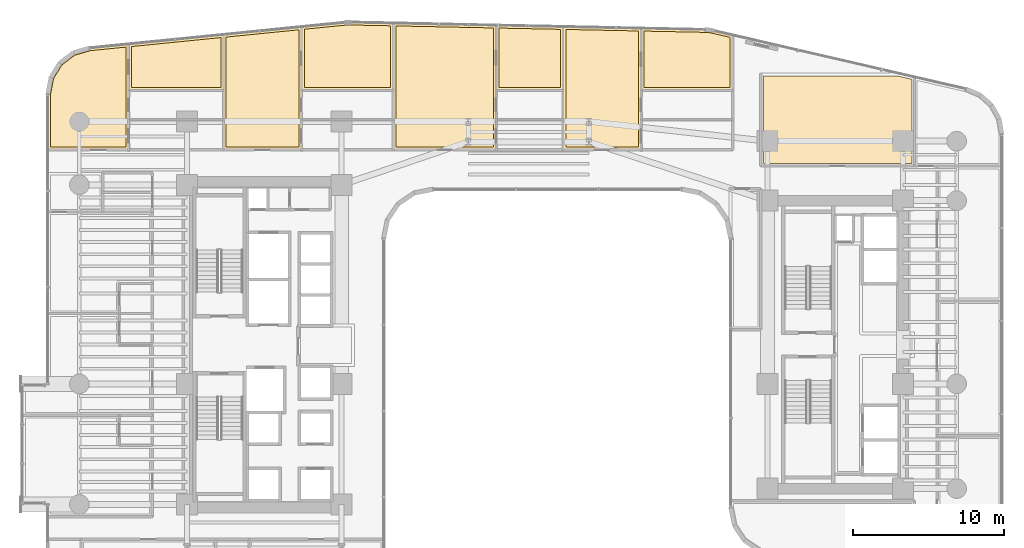
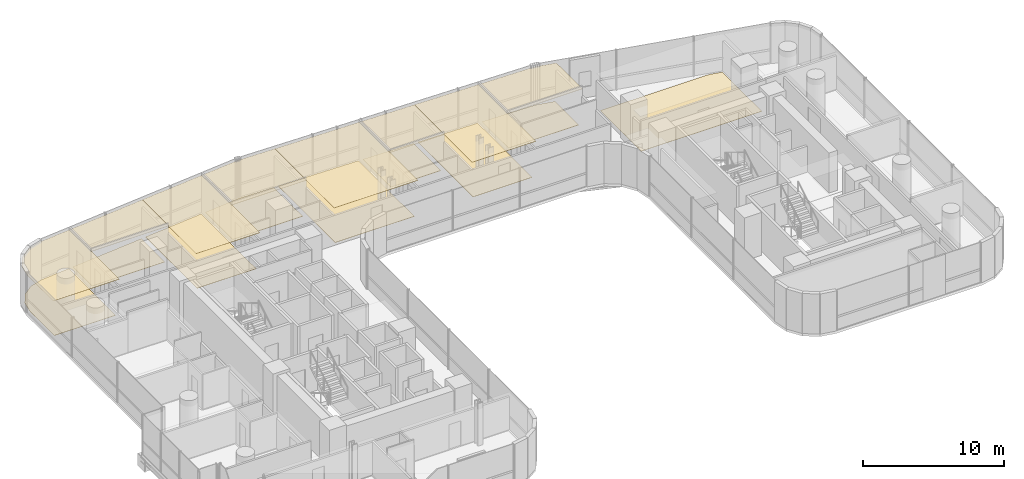
# One storey, part 40 of 41: 17 coverings.
"""IFC4 building model written with IfcOpenShell, lengths in metres."""

from ifc_helpers import new_model, si_unit, direction, frame, origin, place, context, subcontext, project, spatial, polyline, outline, extrude, material, layer, layer_set, type_object, element, save


model = new_model("IFC4")

# Units and contexts
model_context = context("Model", 3, precision=1e-05, world=origin(), true_north=direction((0.0, 1.0)))
body_context = subcontext(model_context, "Body", "Model", "MODEL_VIEW")
ifc_project = project(units=[si_unit("LENGTHUNIT", "METRE"), si_unit("AREAUNIT", "SQUARE_METRE"), si_unit("VOLUMEUNIT", "CUBIC_METRE"), si_unit("PLANEANGLEUNIT", "RADIAN"), si_unit("MASSUNIT", "GRAM", prefix="KILO")], contexts=[model_context])

# Site, building, storey
site_placement = place(None, origin())
site = spatial("IfcSite", under=ifc_project, at=site_placement, CompositionType="ELEMENT")
building_placement = place(site_placement, origin())
building = spatial("IfcBuilding", under=site, at=building_placement, Name="Valdorenza Pilgrim Sanctuary Tower", CompositionType="ELEMENT")
storey_placement = place(building_placement, frame((0.0, 0.0, 59.300048828125)))
storey = spatial("IfcBuildingStorey", under=building, at=storey_placement, Name="L14", CompositionType="ELEMENT", Elevation=59.300048828125)

# Coverings
ifc_material_1 = material(Name="Micro-perforated acoustic mineral ceiling tile", Category="gypsum")
ifc_layer_1 = layer(ifc_material_1, 0.02490234375, Name="Micro-perforated acoustic mineral ceiling tile")
ifc_layer_set_1 = layer_set([ifc_layer_1], Name="Micro-perforated acoustic mineral ceiling tile")
covering_type_1 = type_object("IfcCoveringType", Name="COV-CLG-ACU", PredefinedType="CEILING", material=ifc_layer_set_1)
covering_1_placement = place(storey_placement, frame((0.0, 0.0, 3.159912109375)))
element("IfcCovering", 1, at=covering_1_placement, inside=storey, type_object=covering_type_1, Name="L14 North Sanctuary Apartment L14-N1 Bedroom Acoustic Ceiling", PredefinedType="CEILING", context=body_context, shape_type="SweptSolid", body=[
    extrude(outline(polyline([(-26.530029296875, 16.85498046875), (-26.531494140625, 16.85498046875), (-26.532958984375, 16.855224609375), (-26.534423828125, 16.855712890625), (-26.535888671875, 16.856201171875), (-26.537109375, 16.856689453125), (-26.538330078125, 16.857421875), (-26.53955078125, 16.8583984375), (-26.540771484375, 16.859375), (-26.541748046875, 16.860595703125), (-26.54248046875, 16.86181640625), (-26.543212890625, 16.86279296875), (-26.5439453125, 16.8642578125), (-26.54443359375, 16.865478515625), (-26.544921875, 16.8671875), (-26.544921875, 16.868408203125), (-26.545166015625, 16.8701171875), (-26.545166015625, 19.9365234375), (-26.544921875, 19.93798828125), (-26.544921875, 19.939453125), (-26.54443359375, 19.94091796875), (-26.5439453125, 19.942138671875), (-26.543212890625, 19.943603515625), (-26.54248046875, 19.94482421875), (-26.541748046875, 19.946044921875), (-26.540771484375, 19.947021484375), (-26.53955078125, 19.947998046875), (-26.538330078125, 19.948974609375), (-26.537109375, 19.94970703125), (-26.535888671875, 19.9501953125), (-26.534423828125, 19.95068359375), (-26.532958984375, 19.951171875), (-26.531494140625, 19.951416015625), (-20.239501953125, 20.58056640625), (-20.238037109375, 20.580810546875), (-20.236572265625, 20.58056640625), (-20.235107421875, 20.580322265625), (-20.233642578125, 20.580078125), (-20.232421875, 20.57958984375), (-20.23095703125, 20.578857421875), (-20.229736328125, 20.578125), (-20.228515625, 20.577392578125), (-20.227294921875, 20.576416015625), (-20.226318359375, 20.5751953125), (-20.2255859375, 20.573974609375), (-20.224853515625, 20.57275390625), (-20.22412109375, 20.5712890625), (-20.2236328125, 20.570068359375), (-20.223388671875, 20.568603515625), (-20.22314453125, 20.567138671875), (-20.222900390625, 20.565673828125), (-20.222900390625, 16.8701171875), (-20.22314453125, 16.868408203125), (-20.223388671875, 16.8671875), (-20.2236328125, 16.865478515625), (-20.22412109375, 16.8642578125), (-20.224853515625, 16.86279296875), (-20.2255859375, 16.86181640625), (-20.226318359375, 16.860595703125), (-20.227294921875, 16.859375), (-20.228515625, 16.8583984375), (-20.229736328125, 16.857421875), (-20.23095703125, 16.856689453125), (-20.232421875, 16.856201171875), (-20.233642578125, 16.855712890625), (-20.235107421875, 16.855224609375), (-20.236572265625, 16.85498046875), (-20.238037109375, 16.85498046875), (-26.530029296875, 16.85498046875)])), origin(), (0.0, 0.0, 1.0), 0.025146484375),
])
covering_2_placement = place(storey_placement, frame((0.0, 0.0, 3.159912109375)))
element("IfcCovering", 2, at=covering_2_placement, inside=storey, type_object=covering_type_1, Name="L14 North Sanctuary Apartment L14-N1 Living Room Acoustic Ceiling", PredefinedType="CEILING", context=body_context, shape_type="SweptSolid", body=[
    extrude(outline(polyline([(-31.889892578125, 12.905029296875), (-31.8916015625, 12.905029296875), (-31.892822265625, 12.9052734375), (-31.894287109375, 12.905517578125), (-31.895751953125, 12.906005859375), (-31.897216796875, 12.90673828125), (-31.898193359375, 12.907470703125), (-31.8994140625, 12.908447265625), (-31.900634765625, 12.909423828125), (-31.901611328125, 12.910400390625), (-31.902587890625, 12.91162109375), (-31.9033203125, 12.912841796875), (-31.90380859375, 12.914306640625), (-31.904296875, 12.91552734375), (-31.90478515625, 12.9169921875), (-31.90478515625, 12.91845703125), (-31.905029296875, 12.919921875), (-31.905029296875, 16.593994140625), (-31.90478515625, 16.59521484375), (-31.90478515625, 16.5966796875), (-31.6962890625, 17.717041015625), (-31.696044921875, 17.718505859375), (-31.695556640625, 17.7197265625), (-31.695068359375, 17.720947265625), (-31.6943359375, 17.72216796875), (-31.102294921875, 18.68408203125), (-31.1015625, 18.685302734375), (-31.100830078125, 18.686279296875), (-31.099853515625, 18.687255859375), (-31.0986328125, 18.688232421875), (-30.20068359375, 19.372802734375), (-30.199462890625, 19.37353515625), (-30.1982421875, 19.374267578125), (-30.197021484375, 19.374755859375), (-30.19580078125, 19.375244140625), (-29.1015625, 19.694091796875), (-29.10009765625, 19.694580078125), (-29.098876953125, 19.694580078125), (-26.53369140625, 19.951171875), (-26.531982421875, 19.951416015625), (-26.530517578125, 19.951171875), (-26.529296875, 19.950927734375), (-26.52783203125, 19.95068359375), (-26.5263671875, 19.9501953125), (-26.52490234375, 19.949462890625), (-26.523681640625, 19.94873046875), (-26.522705078125, 19.947998046875), (-26.521484375, 19.947021484375), (-26.5205078125, 19.94580078125), (-26.51953125, 19.944580078125), (-26.518798828125, 19.943359375), (-26.518310546875, 19.94189453125), (-26.517578125, 19.940673828125), (-26.517333984375, 19.939208984375), (-26.51708984375, 19.937744140625), (-26.51708984375, 19.936279296875), (-26.51708984375, 16.87548828125), (-26.516845703125, 16.875), (-26.51611328125, 16.87353515625), (-26.515625, 16.872314453125), (-26.515380859375, 16.870849609375), (-26.51513671875, 16.869384765625), (-26.51513671875, 16.867919921875), (-26.51513671875, 12.919921875), (-26.51513671875, 12.91845703125), (-26.515380859375, 12.9169921875), (-26.515625, 12.91552734375), (-26.51611328125, 12.914306640625), (-26.516845703125, 12.912841796875), (-26.517578125, 12.91162109375), (-26.5185546875, 12.910400390625), (-26.51953125, 12.909423828125), (-26.5205078125, 12.908447265625), (-26.521728515625, 12.907470703125), (-26.52294921875, 12.90673828125), (-26.5244140625, 12.906005859375), (-26.525634765625, 12.905517578125), (-26.527099609375, 12.9052734375), (-26.528564453125, 12.905029296875), (-26.530029296875, 12.905029296875), (-31.889892578125, 12.905029296875)])), origin(), (0.0, 0.0, 1.0), 0.025146484375),
])
covering_3_placement = place(storey_placement, frame((0.0, 0.0, 3.159912109375)))
element("IfcCovering", 3, at=covering_3_placement, inside=storey, type_object=covering_type_1, Name="L14 North Sanctuary Apartment L14-N2 Bedroom Acoustic Ceiling", PredefinedType="CEILING", context=body_context, shape_type="SweptSolid", body=[
    extrude(outline(polyline([(-15.056884765625, 16.85498046875), (-15.05859375, 16.85498046875), (-15.059814453125, 16.855224609375), (-15.061279296875, 16.855712890625), (-15.062744140625, 16.856201171875), (-15.064208984375, 16.856689453125), (-15.065185546875, 16.857421875), (-15.06640625, 16.8583984375), (-15.067626953125, 16.859375), (-15.068603515625, 16.860595703125), (-15.069580078125, 16.86181640625), (-15.0703125, 16.86279296875), (-15.07080078125, 16.8642578125), (-15.0712890625, 16.865478515625), (-15.07177734375, 16.8671875), (-15.072021484375, 16.868408203125), (-15.072021484375, 16.8701171875), (-15.072021484375, 21.083740234375), (-15.072021484375, 21.085205078125), (-15.07177734375, 21.086669921875), (-15.0712890625, 21.088134765625), (-15.07080078125, 21.089599609375), (-15.0703125, 21.0908203125), (-15.069580078125, 21.092041015625), (-15.068603515625, 21.09326171875), (-15.067626953125, 21.094482421875), (-15.06640625, 21.095458984375), (-15.065185546875, 21.09619140625), (-15.064208984375, 21.096923828125), (-15.062744140625, 21.09765625), (-15.061279296875, 21.09814453125), (-15.059814453125, 21.098388671875), (-15.05859375, 21.0986328125), (-12.18359375, 21.38623046875), (-12.183349609375, 21.38623046875), (-12.089599609375, 21.39404296875), (-12.089111328125, 21.39404296875), (-11.996337890625, 21.399169921875), (-11.995849609375, 21.3994140625), (-11.902587890625, 21.401611328125), (-11.90234375, 21.401611328125), (-11.808349609375, 21.40087890625), (-11.80810546875, 21.40087890625), (-8.974609375, 21.342041015625), (-8.97314453125, 21.341796875), (-8.9716796875, 21.341552734375), (-8.970458984375, 21.34130859375), (-8.968994140625, 21.3408203125), (-8.9677734375, 21.340087890625), (-8.966552734375, 21.33935546875), (-8.96533203125, 21.33837890625), (-8.96435546875, 21.33740234375), (-8.96337890625, 21.33642578125), (-8.96240234375, 21.335205078125), (-8.961669921875, 21.333984375), (-8.961181640625, 21.33251953125), (-8.960693359375, 21.331298828125), (-8.960205078125, 21.329833984375), (-8.960205078125, 21.328369140625), (-8.9599609375, 21.326904296875), (-8.9599609375, 16.8701171875), (-8.960205078125, 16.868408203125), (-8.960205078125, 16.8671875), (-8.960693359375, 16.865478515625), (-8.961181640625, 16.8642578125), (-8.9619140625, 16.86279296875), (-8.96240234375, 16.86181640625), (-8.96337890625, 16.860595703125), (-8.96435546875, 16.859375), (-8.965576171875, 16.8583984375), (-8.966796875, 16.857421875), (-8.968017578125, 16.856689453125), (-8.96923828125, 16.856201171875), (-8.970703125, 16.855712890625), (-8.97216796875, 16.855224609375), (-8.973388671875, 16.85498046875), (-8.97509765625, 16.85498046875), (-15.056884765625, 16.85498046875)])), origin(), (0.0, 0.0, 1.0), 0.025146484375),
])
covering_4_placement = place(storey_placement, frame((0.0, 0.0, 3.159912109375)))
element("IfcCovering", 4, at=covering_4_placement, inside=storey, type_object=covering_type_1, Name="L14 North Sanctuary Apartment L14-N2 Living Room Acoustic Ceiling", PredefinedType="CEILING", context=body_context, shape_type="SweptSolid", body=[
    extrude(outline(polyline([(-20.2509765625, 14.918212890625), (-20.251220703125, 14.9189453125), (-20.251220703125, 14.92041015625), (-20.251220703125, 14.922119140625), (-20.251220703125, 14.923583984375), (-20.2509765625, 14.923828125), (-20.2509765625, 16.8662109375), (-20.251220703125, 16.866943359375), (-20.251220703125, 16.868408203125), (-20.251220703125, 16.8701171875), (-20.251220703125, 16.87158203125), (-20.2509765625, 16.871826171875), (-20.2509765625, 20.565673828125), (-20.2509765625, 20.565673828125), (-20.2509765625, 20.566650390625), (-20.250732421875, 20.568115234375), (-20.25048828125, 20.569580078125), (-20.25, 20.571044921875), (-20.24951171875, 20.572509765625), (-20.248779296875, 20.573974609375), (-20.247802734375, 20.5751953125), (-20.246826171875, 20.576171875), (-20.24560546875, 20.577392578125), (-20.244384765625, 20.578125), (-20.243408203125, 20.5791015625), (-20.241943359375, 20.57958984375), (-20.240478515625, 20.580078125), (-20.239013671875, 20.58056640625), (-20.237548828125, 20.580810546875), (-15.060546875, 21.098388671875), (-15.05908203125, 21.0986328125), (-15.0576171875, 21.098388671875), (-15.05615234375, 21.098388671875), (-15.0546875, 21.097900390625), (-15.05322265625, 21.097412109375), (-15.052001953125, 21.0966796875), (-15.05078125, 21.095947265625), (-15.049560546875, 21.09521484375), (-15.04833984375, 21.09423828125), (-15.04736328125, 21.093017578125), (-15.04638671875, 21.091796875), (-15.0458984375, 21.090576171875), (-15.045166015625, 21.08935546875), (-15.044677734375, 21.087890625), (-15.044189453125, 21.08642578125), (-15.044189453125, 21.0849609375), (-15.0439453125, 21.08349609375), (-15.0439453125, 16.87548828125), (-15.043701171875, 16.875), (-15.043212890625, 16.87353515625), (-15.04248046875, 16.872314453125), (-15.042236328125, 16.870849609375), (-15.0419921875, 16.869384765625), (-15.0419921875, 16.867919921875), (-15.0419921875, 12.919921875), (-15.0419921875, 12.91845703125), (-15.042236328125, 12.9169921875), (-15.04248046875, 12.91552734375), (-15.043212890625, 12.914306640625), (-15.043701171875, 12.912841796875), (-15.04443359375, 12.91162109375), (-15.04541015625, 12.910400390625), (-15.04638671875, 12.909423828125), (-15.047607421875, 12.908447265625), (-15.048583984375, 12.907470703125), (-15.0498046875, 12.90673828125), (-15.05126953125, 12.906005859375), (-15.052490234375, 12.905517578125), (-15.05419921875, 12.9052734375), (-15.055419921875, 12.905029296875), (-15.056884765625, 12.905029296875), (-20.236083984375, 12.905029296875), (-20.237548828125, 12.905029296875), (-20.239013671875, 12.9052734375), (-20.240478515625, 12.905517578125), (-20.24169921875, 12.906005859375), (-20.2431640625, 12.90673828125), (-20.244384765625, 12.907470703125), (-20.24560546875, 12.908447265625), (-20.24658203125, 12.909423828125), (-20.24755859375, 12.910400390625), (-20.24853515625, 12.91162109375), (-20.249267578125, 12.912841796875), (-20.25, 12.914306640625), (-20.25048828125, 12.91552734375), (-20.250732421875, 12.9169921875), (-20.2509765625, 12.91845703125), (-20.2509765625, 12.919921875), (-20.2509765625, 14.918212890625)])), origin(), (0.0, 0.0, 1.0), 0.025146484375),
])
covering_5_placement = place(storey_placement, frame((0.0, 0.0, 3.159912109375)))
element("IfcCovering", 5, at=covering_5_placement, inside=storey, type_object=covering_type_1, Name="L14 North Sanctuary Apartment L14-N3 Bedroom Acoustic Ceiling", PredefinedType="CEILING", context=body_context, shape_type="SweptSolid", body=[
    extrude(outline(polyline([(-2.14453125, 16.85498046875), (-2.14599609375, 16.85498046875), (-2.1474609375, 16.855224609375), (-2.14892578125, 16.855712890625), (-2.150146484375, 16.856201171875), (-2.151611328125, 16.856689453125), (-2.15283203125, 16.857421875), (-2.154052734375, 16.8583984375), (-2.155029296875, 16.859375), (-2.156005859375, 16.860595703125), (-2.156982421875, 16.86181640625), (-2.15771484375, 16.86279296875), (-2.158447265625, 16.8642578125), (-2.158935546875, 16.865478515625), (-2.1591796875, 16.8671875), (-2.159423828125, 16.868408203125), (-2.159423828125, 16.8701171875), (-2.159423828125, 21.184814453125), (-2.159423828125, 21.186279296875), (-2.1591796875, 21.1875), (-2.15869140625, 21.189208984375), (-2.158203125, 21.1904296875), (-2.15771484375, 21.19189453125), (-2.156982421875, 21.193115234375), (-2.156005859375, 21.1943359375), (-2.155029296875, 21.1953125), (-2.15380859375, 21.1962890625), (-2.152587890625, 21.197265625), (-2.1513671875, 21.197998046875), (-2.14990234375, 21.198486328125), (-2.148681640625, 21.19921875), (-2.147216796875, 21.199462890625), (-2.145751953125, 21.19970703125), (-2.144287109375, 21.19970703125), (2.287353515625, 21.107421875), (2.288818359375, 21.107177734375), (2.290283203125, 21.10693359375), (2.29150390625, 21.106689453125), (2.29296875, 21.106201171875), (2.294189453125, 21.10546875), (2.29541015625, 21.104736328125), (2.296630859375, 21.103759765625), (2.297607421875, 21.102783203125), (2.298583984375, 21.101806640625), (2.299560546875, 21.1005859375), (2.30029296875, 21.099365234375), (2.30078125, 21.097900390625), (2.301513671875, 21.0966796875), (2.3017578125, 21.09521484375), (2.302001953125, 21.09375), (2.302001953125, 21.09228515625), (2.302001953125, 16.8701171875), (2.302001953125, 16.868408203125), (2.3017578125, 16.8671875), (2.301513671875, 16.865478515625), (2.30078125, 16.8642578125), (2.30029296875, 16.86279296875), (2.299560546875, 16.86181640625), (2.298583984375, 16.860595703125), (2.297607421875, 16.859375), (2.29638671875, 16.8583984375), (2.29541015625, 16.857421875), (2.294189453125, 16.856689453125), (2.292724609375, 16.856201171875), (2.29150390625, 16.855712890625), (2.289794921875, 16.855224609375), (2.28857421875, 16.85498046875), (2.287109375, 16.85498046875), (-2.14453125, 16.85498046875)])), origin(), (0.0, 0.0, 1.0), 0.025146484375),
])
covering_6_placement = place(storey_placement, frame((0.0, 0.0, 3.159912109375)))
element("IfcCovering", 6, at=covering_6_placement, inside=storey, type_object=covering_type_1, Name="L14 North Sanctuary Apartment L14-N3 Living Room Acoustic Ceiling", PredefinedType="CEILING", context=body_context, shape_type="SweptSolid", body=[
    extrude(outline(polyline([(-8.988037109375, 14.918212890625), (-8.988037109375, 14.9189453125), (-8.98828125, 14.92041015625), (-8.98828125, 14.922119140625), (-8.988037109375, 14.923583984375), (-8.988037109375, 14.923828125), (-8.988037109375, 16.8662109375), (-8.988037109375, 16.866943359375), (-8.98828125, 16.868408203125), (-8.98828125, 16.8701171875), (-8.988037109375, 16.87158203125), (-8.988037109375, 16.871826171875), (-8.988037109375, 21.326904296875), (-8.98779296875, 21.328369140625), (-8.98779296875, 21.329833984375), (-8.9873046875, 21.331298828125), (-8.98681640625, 21.332763671875), (-8.986083984375, 21.333984375), (-8.9853515625, 21.33544921875), (-8.984619140625, 21.336669921875), (-8.9833984375, 21.337646484375), (-8.982421875, 21.338623046875), (-8.981201171875, 21.339599609375), (-8.97998046875, 21.34033203125), (-8.978515625, 21.3408203125), (-8.97705078125, 21.34130859375), (-8.9755859375, 21.341796875), (-8.97412109375, 21.341796875), (-8.97265625, 21.341796875), (-2.146240234375, 21.19970703125), (-2.144775390625, 21.19970703125), (-2.143310546875, 21.199462890625), (-2.141845703125, 21.198974609375), (-2.140380859375, 21.198486328125), (-2.13916015625, 21.19775390625), (-2.137939453125, 21.197021484375), (-2.13671875, 21.1962890625), (-2.1357421875, 21.1953125), (-2.134765625, 21.194091796875), (-2.134033203125, 21.19287109375), (-2.13330078125, 21.191650390625), (-2.132568359375, 21.1904296875), (-2.132080078125, 21.18896484375), (-2.1318359375, 21.1875), (-2.131591796875, 21.186279296875), (-2.131591796875, 21.184814453125), (-2.131591796875, 16.87548828125), (-2.131103515625, 16.875), (-2.130615234375, 16.87353515625), (-2.130126953125, 16.872314453125), (-2.1298828125, 16.870849609375), (-2.129638671875, 16.869384765625), (-2.12939453125, 16.867919921875), (-2.12939453125, 12.919921875), (-2.129638671875, 12.91845703125), (-2.1298828125, 12.9169921875), (-2.130126953125, 12.91552734375), (-2.130615234375, 12.914306640625), (-2.13134765625, 12.912841796875), (-2.132080078125, 12.91162109375), (-2.1328125, 12.910400390625), (-2.1337890625, 12.909423828125), (-2.135009765625, 12.908447265625), (-2.13623046875, 12.907470703125), (-2.137451171875, 12.90673828125), (-2.138916015625, 12.906005859375), (-2.14013671875, 12.905517578125), (-2.1416015625, 12.9052734375), (-2.14306640625, 12.905029296875), (-2.14453125, 12.905029296875), (-8.972900390625, 12.905029296875), (-8.974609375, 12.905029296875), (-8.975830078125, 12.9052734375), (-8.977294921875, 12.905517578125), (-8.978759765625, 12.906005859375), (-8.97998046875, 12.90673828125), (-8.981201171875, 12.907470703125), (-8.982421875, 12.908447265625), (-8.983642578125, 12.909423828125), (-8.984619140625, 12.910400390625), (-8.985595703125, 12.91162109375), (-8.986083984375, 12.912841796875), (-8.98681640625, 12.914306640625), (-8.9873046875, 12.91552734375), (-8.98779296875, 12.9169921875), (-8.98779296875, 12.91845703125), (-8.988037109375, 12.919921875), (-8.988037109375, 14.918212890625)])), origin(), (0.0, 0.0, 1.0), 0.025146484375),
])
covering_7_placement = place(storey_placement, frame((0.0, 0.0, 3.159912109375)))
element("IfcCovering", 7, at=covering_7_placement, inside=storey, type_object=covering_type_1, Name="L14 North Sanctuary Apartment L14-N4 Bedroom Acoustic Ceiling", PredefinedType="CEILING", context=body_context, shape_type="SweptSolid", body=[
    extrude(outline(polyline([(7.468017578125, 16.85498046875), (7.466552734375, 16.85498046875), (7.465087890625, 16.855224609375), (7.463623046875, 16.855712890625), (7.46240234375, 16.856201171875), (7.4609375, 16.856689453125), (7.459716796875, 16.857421875), (7.45849609375, 16.8583984375), (7.45751953125, 16.859375), (7.456298828125, 16.860595703125), (7.45556640625, 16.86181640625), (7.454833984375, 16.86279296875), (7.4541015625, 16.8642578125), (7.45361328125, 16.865478515625), (7.453369140625, 16.8671875), (7.453125, 16.868408203125), (7.452880859375, 16.8701171875), (7.452880859375, 20.984375), (7.453125, 20.98583984375), (7.453369140625, 20.9873046875), (7.45361328125, 20.98876953125), (7.4541015625, 20.990234375), (7.454833984375, 20.99169921875), (7.45556640625, 20.992919921875), (7.45654296875, 20.993896484375), (7.45751953125, 20.9951171875), (7.45849609375, 20.99609375), (7.459716796875, 20.9970703125), (7.461181640625, 20.997802734375), (7.46240234375, 20.998291015625), (7.4638671875, 20.998779296875), (7.46533203125, 20.999267578125), (7.466796875, 20.99951171875), (7.46826171875, 20.99951171875), (11.666015625, 20.912109375), (11.66650390625, 20.911865234375), (11.82666015625, 20.904296875), (11.827392578125, 20.904296875), (11.98583984375, 20.888916015625), (11.986572265625, 20.888671875), (12.143798828125, 20.864990234375), (12.14453125, 20.864990234375), (12.302001953125, 20.832763671875), (12.30224609375, 20.832763671875), (13.553466796875, 20.5439453125), (13.5546875, 20.543701171875), (13.55615234375, 20.543212890625), (13.557373046875, 20.54248046875), (13.55859375, 20.541748046875), (13.559814453125, 20.540771484375), (13.560791015625, 20.539794921875), (13.561767578125, 20.538818359375), (13.5625, 20.53759765625), (13.563232421875, 20.536376953125), (13.56396484375, 20.534912109375), (13.564453125, 20.53369140625), (13.564697265625, 20.5322265625), (13.56494140625, 20.53076171875), (13.56494140625, 20.529296875), (13.56494140625, 16.8701171875), (13.56494140625, 16.868408203125), (13.564697265625, 16.8671875), (13.564453125, 16.865478515625), (13.56396484375, 16.8642578125), (13.563232421875, 16.86279296875), (13.5625, 16.86181640625), (13.5615234375, 16.860595703125), (13.560546875, 16.859375), (13.5595703125, 16.8583984375), (13.558349609375, 16.857421875), (13.55712890625, 16.856689453125), (13.5556640625, 16.856201171875), (13.554443359375, 16.855712890625), (13.552978515625, 16.855224609375), (13.551513671875, 16.85498046875), (13.550048828125, 16.85498046875), (7.468017578125, 16.85498046875)])), origin(), (0.0, 0.0, 1.0), 0.025146484375),
])
covering_8_placement = place(storey_placement, frame((0.0, 0.0, 3.159912109375)))
element("IfcCovering", 8, at=covering_8_placement, inside=storey, type_object=covering_type_1, Name="L14 North Sanctuary Apartment L14-N4 Living Room Acoustic Ceiling", PredefinedType="CEILING", context=body_context, shape_type="SweptSolid", body=[
    extrude(outline(polyline([(2.27392578125, 14.918212890625), (2.27392578125, 14.9189453125), (2.273681640625, 14.92041015625), (2.273681640625, 14.922119140625), (2.27392578125, 14.923583984375), (2.27392578125, 14.923828125), (2.27392578125, 16.8662109375), (2.27392578125, 16.866943359375), (2.273681640625, 16.868408203125), (2.273681640625, 16.8701171875), (2.27392578125, 16.87158203125), (2.27392578125, 16.871826171875), (2.27392578125, 21.09228515625), (2.274169921875, 21.09375), (2.2744140625, 21.09521484375), (2.274658203125, 21.0966796875), (2.275146484375, 21.097900390625), (2.27587890625, 21.099365234375), (2.276611328125, 21.1005859375), (2.27734375, 21.101806640625), (2.2783203125, 21.102783203125), (2.279541015625, 21.10400390625), (2.28076171875, 21.104736328125), (2.281982421875, 21.10546875), (2.283203125, 21.106201171875), (2.28466796875, 21.106689453125), (2.2861328125, 21.10693359375), (2.28759765625, 21.107177734375), (2.2890625, 21.107421875), (2.289306640625, 21.107421875), (2.28955078125, 21.107421875), (7.46630859375, 20.99951171875), (7.4677734375, 20.999267578125), (7.46923828125, 20.9990234375), (7.470703125, 20.998779296875), (7.471923828125, 20.998291015625), (7.473388671875, 20.99755859375), (7.474609375, 20.996826171875), (7.4755859375, 20.995849609375), (7.476806640625, 20.994873046875), (7.477783203125, 20.993896484375), (7.478515625, 20.99267578125), (7.479248046875, 20.991455078125), (7.47998046875, 20.989990234375), (7.48046875, 20.98876953125), (7.480712890625, 20.9873046875), (7.48095703125, 20.98583984375), (7.48095703125, 20.984375), (7.48095703125, 16.87548828125), (7.481201171875, 16.875), (7.48193359375, 16.87353515625), (7.482421875, 16.872314453125), (7.482666015625, 16.870849609375), (7.48291015625, 16.869384765625), (7.48291015625, 16.867919921875), (7.48291015625, 12.919921875), (7.48291015625, 12.91845703125), (7.482666015625, 12.9169921875), (7.482421875, 12.91552734375), (7.48193359375, 12.914306640625), (7.481201171875, 12.912841796875), (7.48046875, 12.91162109375), (7.4794921875, 12.910400390625), (7.478515625, 12.909423828125), (7.4775390625, 12.908447265625), (7.476318359375, 12.907470703125), (7.47509765625, 12.90673828125), (7.4736328125, 12.906005859375), (7.472412109375, 12.905517578125), (7.470947265625, 12.9052734375), (7.469482421875, 12.905029296875), (7.468017578125, 12.905029296875), (2.2890625, 12.905029296875), (2.28759765625, 12.905029296875), (2.2861328125, 12.9052734375), (2.28466796875, 12.905517578125), (2.283203125, 12.906005859375), (2.281982421875, 12.90673828125), (2.28076171875, 12.907470703125), (2.279541015625, 12.908447265625), (2.2783203125, 12.909423828125), (2.27734375, 12.910400390625), (2.276611328125, 12.91162109375), (2.27587890625, 12.912841796875), (2.275146484375, 12.914306640625), (2.274658203125, 12.91552734375), (2.2744140625, 12.9169921875), (2.274169921875, 12.91845703125), (2.27392578125, 12.919921875), (2.27392578125, 14.918212890625)])), origin(), (0.0, 0.0, 1.0), 0.025146484375),
])
ifc_material_2 = material(Name="Engineered European oak timber flooring", Category="wood")
ifc_layer_2 = layer(ifc_material_2, 0.02197265625, Name="Engineered European oak timber flooring")
ifc_layer_set_2 = layer_set([ifc_layer_2], Name="Engineered European oak timber flooring")
covering_type_2 = type_object("IfcCoveringType", Name="COV-FLR-OAK", PredefinedType="FLOORING", material=ifc_layer_set_2)
covering_9_placement = place(storey_placement, origin())
element("IfcCovering", 9, at=covering_9_placement, inside=storey, type_object=covering_type_2, Name="L14 North Sanctuary Apartment L14-N1 Bedroom Flooring", PredefinedType="FLOORING", context=body_context, shape_type="SweptSolid", body=[
    extrude(outline(polyline([(-26.35009765625, 17.050048828125), (-26.35009765625, 19.773681640625), (-20.41796875, 20.36669921875), (-20.41796875, 17.050048828125), (-26.35009765625, 17.050048828125)])), origin(), (0.0, 0.0, 1.0), 0.02490234375),
])
covering_10_placement = place(storey_placement, origin())
element("IfcCovering", 10, at=covering_10_placement, inside=storey, type_object=covering_type_2, Name="L14 North Sanctuary Apartment L14-N1 Living Room Flooring", PredefinedType="FLOORING", context=body_context, shape_type="SweptSolid", body=[
    extrude(outline(polyline([(-31.7099609375, 13.10009765625), (-31.7099609375, 16.577392578125), (-31.5107421875, 17.6484375), (-30.953857421875, 18.553466796875), (-30.109130859375, 19.197509765625), (-29.06298828125, 19.502197265625), (-26.712158203125, 19.7373046875), (-26.712158203125, 16.8701171875), (-26.710205078125, 13.10009765625), (-31.7099609375, 13.10009765625)])), origin(), (0.0, 0.0, 1.0), 0.02490234375),
])
covering_11_placement = place(storey_placement, origin())
element("IfcCovering", 11, at=covering_11_placement, inside=storey, type_object=covering_type_2, Name="L14 North Sanctuary Apartment L14-N2 Bedroom Flooring", PredefinedType="FLOORING", context=body_context, shape_type="SweptSolid", body=[
    extrude(outline(polyline([(-14.876953125, 17.050048828125), (-14.876953125, 20.9208984375), (-12.16552734375, 21.19189453125), (-12.07568359375, 21.19970703125), (-11.98828125, 21.204345703125), (-11.900634765625, 21.20654296875), (-11.810791015625, 21.2060546875), (-9.155029296875, 21.150634765625), (-9.155029296875, 17.050048828125), (-14.876953125, 17.050048828125)])), origin(), (0.0, 0.0, 1.0), 0.02490234375),
])
covering_12_placement = place(storey_placement, origin())
element("IfcCovering", 12, at=covering_12_placement, inside=storey, type_object=covering_type_2, Name="L14 North Sanctuary Apartment L14-N2 Living Room Flooring", PredefinedType="FLOORING", context=body_context, shape_type="SweptSolid", body=[
    extrude(outline(polyline([(-20.055908203125, 14.921630859375), (-20.055908203125, 14.922119140625), (-20.055908203125, 16.867919921875), (-20.055908203125, 16.868896484375), (-20.055908203125, 16.86962890625), (-20.055908203125, 16.8701171875), (-20.055908203125, 20.40283203125), (-15.239013671875, 20.884765625), (-15.239013671875, 16.8701171875), (-15.237060546875, 13.10009765625), (-20.055908203125, 13.10009765625), (-20.055908203125, 14.919921875), (-20.055908203125, 14.9208984375), (-20.055908203125, 14.921630859375)])), origin(), (0.0, 0.0, 1.0), 0.02490234375),
])
covering_13_placement = place(storey_placement, origin())
element("IfcCovering", 13, at=covering_13_placement, inside=storey, type_object=covering_type_2, Name="L14 North Sanctuary Apartment L14-N3 Bedroom Flooring", PredefinedType="FLOORING", context=body_context, shape_type="SweptSolid", body=[
    extrude(outline(polyline([(-1.964599609375, 17.050048828125), (-1.964599609375, 21.0009765625), (2.10693359375, 20.916015625), (2.10693359375, 17.050048828125), (-1.964599609375, 17.050048828125)])), origin(), (0.0, 0.0, 1.0), 0.02490234375),
])
covering_14_placement = place(storey_placement, origin())
element("IfcCovering", 14, at=covering_14_placement, inside=storey, type_object=covering_type_2, Name="L14 North Sanctuary Apartment L14-N3 Living Room Flooring", PredefinedType="FLOORING", context=body_context, shape_type="SweptSolid", body=[
    extrude(outline(polyline([(-8.79296875, 14.921630859375), (-8.79296875, 14.922119140625), (-8.79296875, 16.867919921875), (-8.79296875, 16.868896484375), (-8.79296875, 16.86962890625), (-8.79296875, 16.8701171875), (-8.79296875, 21.14306640625), (-2.326416015625, 21.00830078125), (-2.326416015625, 16.8701171875), (-2.32470703125, 13.10009765625), (-8.79296875, 13.10009765625), (-8.79296875, 14.919921875), (-8.79296875, 14.9208984375), (-8.79296875, 14.921630859375)])), origin(), (0.0, 0.0, 1.0), 0.02490234375),
])
covering_15_placement = place(storey_placement, origin())
element("IfcCovering", 15, at=covering_15_placement, inside=storey, type_object=covering_type_2, Name="L14 North Sanctuary Apartment L14-N4 Bedroom Flooring", PredefinedType="FLOORING", context=body_context, shape_type="SweptSolid", body=[
    extrude(outline(polyline([(7.64794921875, 17.050048828125), (7.64794921875, 20.800537109375), (11.65966796875, 20.717041015625), (11.81298828125, 20.7099609375), (11.962158203125, 20.6953125), (12.110107421875, 20.6728515625), (12.2607421875, 20.64208984375), (13.3701171875, 20.38623046875), (13.3701171875, 17.050048828125), (7.64794921875, 17.050048828125)])), origin(), (0.0, 0.0, 1.0), 0.02490234375),
])
covering_16_placement = place(storey_placement, origin())
element("IfcCovering", 16, at=covering_16_placement, inside=storey, type_object=covering_type_2, Name="L14 North Sanctuary Apartment L14-N4 Living Room Flooring", PredefinedType="FLOORING", context=body_context, shape_type="SweptSolid", body=[
    extrude(outline(polyline([(2.468994140625, 14.921630859375), (2.468994140625, 14.922119140625), (2.468994140625, 16.867919921875), (2.468994140625, 16.868896484375), (2.468994140625, 16.86962890625), (2.468994140625, 16.8701171875), (2.468994140625, 20.908447265625), (7.285888671875, 20.80810546875), (7.285888671875, 16.8701171875), (7.287841796875, 13.10009765625), (2.468994140625, 13.10009765625), (2.468994140625, 14.919921875), (2.468994140625, 14.9208984375), (2.468994140625, 14.921630859375)])), origin(), (0.0, 0.0, 1.0), 0.02490234375),
])
ifc_material_3 = material(Name="Honed travertine stone flooring", Category="masonry")
ifc_layer_3 = layer(ifc_material_3, 0.030029296875, Name="Honed travertine stone flooring")
ifc_layer_set_3 = layer_set([ifc_layer_3], Name="Honed travertine stone flooring")
covering_type_3 = type_object("IfcCoveringType", Name="COV-FLR-TRV", PredefinedType="FLOORING", material=ifc_layer_set_3)
covering_17_placement = place(storey_placement, origin())
element("IfcCovering", 17, at=covering_17_placement, inside=storey, type_object=covering_type_3, Name="L14 Curator Research Office L14-BN1 Flooring", PredefinedType="FLOORING", context=body_context, shape_type="SweptSolid", body=[
    extrude(outline(polyline([(15.580078125, 12.030029296875), (15.580078125, 17.820068359375), (24.490234375, 17.820068359375), (25.419921875, 17.60546875), (25.419921875, 12.030029296875), (15.580078125, 12.030029296875)])), origin(), (0.0, 0.0, 1.0), 0.02490234375),
])

save(model, "model.ifc")
